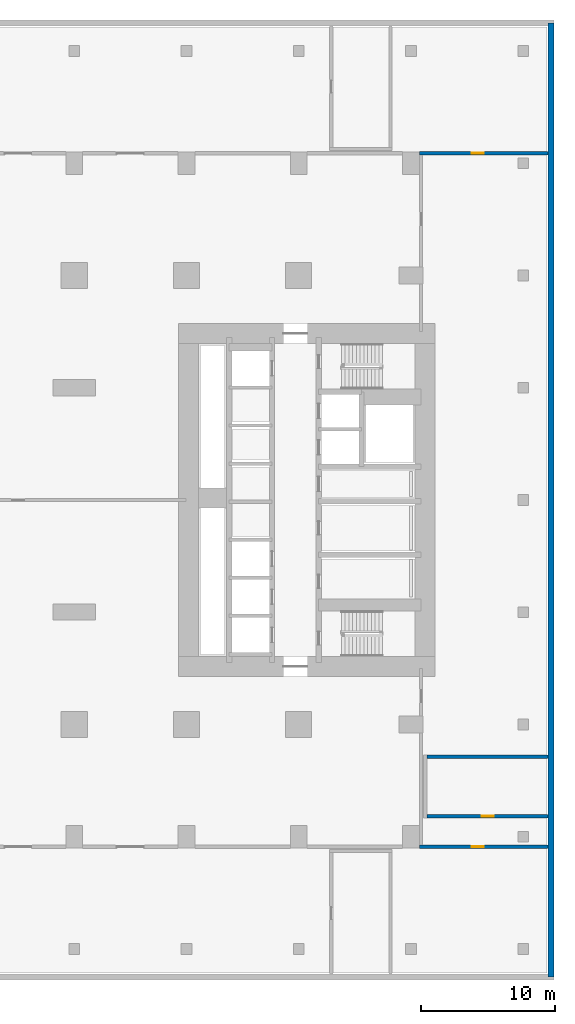
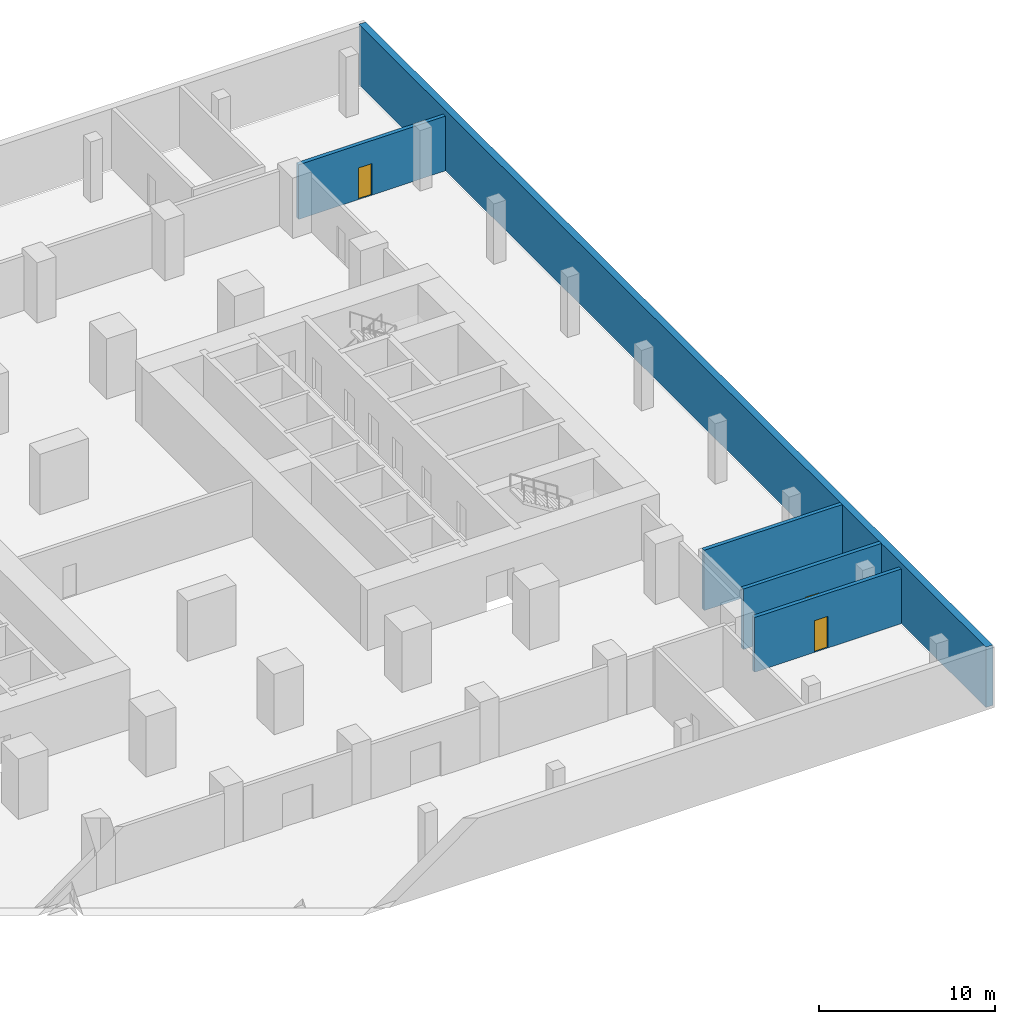
# One storey, part 5 of 8: 5 walls, 3 doors, 3 openings.
"""IFC4 building model written with IfcOpenShell, lengths in metres."""

from ifc_helpers import new_model, si_unit, direction, frame, frame_2d, origin, place, context, subcontext, project, spatial, rectangle, extrude, material, layer, layer_set, type_object, element, fill, save


model = new_model("IFC4")

# Units and contexts
model_context = context("Model", 3, precision=1e-05, world=origin(), true_north=direction((0.0, 1.0)))
body_context = subcontext(model_context, "Body", "Model", "MODEL_VIEW")
ifc_project = project(units=[si_unit("LENGTHUNIT", "METRE"), si_unit("AREAUNIT", "SQUARE_METRE"), si_unit("VOLUMEUNIT", "CUBIC_METRE"), si_unit("PLANEANGLEUNIT", "RADIAN"), si_unit("MASSUNIT", "GRAM", prefix="KILO")], contexts=[model_context])

# Site, building, storey
site_placement = place(None, origin())
site = spatial("IfcSite", under=ifc_project, at=site_placement, CompositionType="ELEMENT")
building_placement = place(site_placement, origin())
building = spatial("IfcBuilding", under=site, at=building_placement, Name="Claustro Exchange Tower", CompositionType="ELEMENT")
storey_placement = place(building_placement, frame((0.0, 0.0, -4.199951171875)))
storey = spatial("IfcBuildingStorey", under=building, at=storey_placement, Name="B1", CompositionType="ELEMENT", Elevation=-4.199951171875)

# Wall, opening, door
ifc_material_1 = material(Name="Concrete blockwork, rendered", Category="masonry")
ifc_layer_1 = layer(ifc_material_1, 0.25)
ifc_layer_set_1 = layer_set([ifc_layer_1], Name="Concrete blockwork, rendered")
wall_type_1 = type_object("IfcWallType", Name="P4 250 blockwork wall", PredefinedType="PARTITIONING", material=ifc_layer_set_1)
wall_1_placement = place(storey_placement, frame((51.02392578125, -0.75, 0.0), z_axis=(0.0, 0.0, 1.0), x_axis=(1.0, 0.0, 0.0)))
wall_1 = element("IfcWall", 1, at=wall_1_placement, inside=storey, type_object=wall_type_1, Name="Partition P4 B1", PredefinedType="PARTITIONING", context=body_context, shape_type="SweptSolid", body=[
    extrude(rectangle(XDim=9.652099609375, YDim=0.25, at=frame_2d((4.826171875, 0.0))), origin(), (0.0, 0.0, 1.0), 3.800048828125),
])
opening_1_placement = place(wall_1_placement, frame((3.926025390625, 0.0, 0.0)))
opening_1 = element("IfcOpeningElement", 2, at=opening_1_placement, cuts=wall_1, Name="Opening D12", PredefinedType="OPENING", context=body_context, shape_type="SweptSolid", body=[
    extrude(rectangle(XDim=0.89990234375, YDim=2.199951171875, at=frame_2d((0.449951171875, 1.10009765625))), frame((0.0, 0.135009765625, 0.0), z_axis=(0.0, -1.0, 0.0), x_axis=(1.0, 0.0, 0.0)), (0.0, 0.0, 1.0), 0.27001953125),
])
ifc_material_2 = material(Name="Steel door, painted", Category="steel")
door_type = type_object("IfcDoorType", Name="D12 900 x 2200 plant and store room door", OperationType="SINGLE_SWING_LEFT", PredefinedType="DOOR", material=ifc_material_2)
door_1_placement = place(opening_1_placement, origin())
door_1 = element("IfcDoor", 3, at=door_1_placement, inside=storey, type_object=door_type, Name="Door D12 B1", OperationType="SINGLE_SWING_LEFT", OverallHeight=2.199951171875, OverallWidth=0.89990234375, PredefinedType="DOOR", context=body_context, shape_type="SweptSolid", body=[
    extrude(rectangle(XDim=0.89990234375, YDim=2.199951171875, at=frame_2d((0.449951171875, 1.10009765625))), frame((0.0, 0.02490234375, 0.0), z_axis=(0.0, -1.0, 0.0), x_axis=(1.0, 0.0, 0.0)), (0.0, 0.0, 1.0), 0.050048828125),
])
fill(opening_1, door_1)

wall_2_placement = place(storey_placement, frame((51.02392578125, 51.14990234375, 0.0), z_axis=(0.0, 0.0, 1.0), x_axis=(1.0, 0.0, 0.0)))
wall_2 = element("IfcWall", 4, at=wall_2_placement, inside=storey, type_object=wall_type_1, Name="Partition P4 B1", PredefinedType="PARTITIONING", context=body_context, shape_type="SweptSolid", body=[
    extrude(rectangle(XDim=9.652099609375, YDim=0.25, at=frame_2d((4.826171875, 0.0))), origin(), (0.0, 0.0, 1.0), 3.800048828125),
])
opening_2_placement = place(wall_2_placement, frame((3.926025390625, 0.0, 0.0)))
opening_2 = element("IfcOpeningElement", 5, at=opening_2_placement, cuts=wall_2, Name="Opening D12", PredefinedType="OPENING", context=body_context, shape_type="SweptSolid", body=[
    extrude(rectangle(XDim=0.89990234375, YDim=2.199951171875, at=frame_2d((0.449951171875, 1.10009765625))), frame((0.0, 0.135009765625, 0.0), z_axis=(0.0, -1.0, 0.0), x_axis=(1.0, 0.0, 0.0)), (0.0, 0.0, 1.0), 0.27001953125),
])
door_2_placement = place(opening_2_placement, origin())
door_2 = element("IfcDoor", 6, at=door_2_placement, inside=storey, type_object=door_type, Name="Door D12 B1", OperationType="SINGLE_SWING_LEFT", OverallHeight=2.199951171875, OverallWidth=0.89990234375, PredefinedType="DOOR", context=body_context, shape_type="SweptSolid", body=[
    extrude(rectangle(XDim=0.89990234375, YDim=2.199951171875, at=frame_2d((0.449951171875, 1.10009765625))), frame((0.0, 0.02490234375, 0.0), z_axis=(0.0, -1.0, 0.0), x_axis=(1.0, 0.0, 0.0)), (0.0, 0.0, 1.0), 0.050048828125),
])
fill(opening_2, door_2)

# Wall
ifc_material_3 = material(Name="Concrete HA-40 (C40/50)", Category="concrete")
ifc_layer_2 = layer(ifc_material_3, 0.449951171875)
ifc_layer_set_2 = layer_set([ifc_layer_2], Name="Concrete HA-40 (C40/50)")
wall_type_2 = type_object("IfcWallType", Name="RW2 450 basement retaining wall", PredefinedType="SOLIDWALL", material=ifc_layer_set_2)
wall_3_placement = place(storey_placement, frame((60.89990234375, -10.5, 0.0), z_axis=(0.0, 0.0, 1.0), x_axis=(0.0, 1.0, 0.0)))
element("IfcWall", 7, at=wall_3_placement, inside=storey, type_object=wall_type_2, Name="Retaining wall RW2 E B1", PredefinedType="SOLIDWALL", context=body_context, shape_type="SweptSolid", body=[
    extrude(rectangle(XDim=71.39990234375, YDim=0.449951171875, at=frame_2d((35.699951171875, 0.0))), origin(), (0.0, 0.0, 1.0), 4.199951171875),
])

# Wall, opening, door
ifc_material_4 = material(Name="Concrete HA-40 (C40/50)", Category="concrete")
ifc_layer_3 = layer(ifc_material_4, 0.25)
ifc_layer_set_3 = layer_set([ifc_layer_3], Name="Concrete HA-40 (C40/50)")
wall_type_3 = type_object("IfcWallType", Name="SW7 250 reinforced concrete stair wall", PredefinedType="SOLIDWALL", material=ifc_layer_set_3)
wall_4_placement = place(storey_placement, frame((60.677001953125, 1.52490234375, 0.0), z_axis=(0.0, 0.0, 1.0), x_axis=(-1.0, 0.0, 0.0)))
wall_4 = element("IfcWall", 8, at=wall_4_placement, inside=storey, type_object=wall_type_3, Name="Stair enclosure wall STP6 SW7 B1", PredefinedType="SOLIDWALL", context=body_context, shape_type="SweptSolid", body=[
    extrude(rectangle(XDim=9.076904296875, YDim=0.25, at=frame_2d((4.53857421875, 0.0))), origin(), (0.0, 0.0, 1.0), 4.199951171875),
])
opening_3_placement = place(wall_4_placement, frame((4.08740234375, 0.0, 0.0)))
opening_3 = element("IfcOpeningElement", 9, at=opening_3_placement, cuts=wall_4, Name="Opening D12", PredefinedType="OPENING", context=body_context, shape_type="SweptSolid", body=[
    extrude(rectangle(XDim=0.89990234375, YDim=2.199951171875, at=frame_2d((0.449951171875, 1.10009765625))), frame((0.0, 0.135009765625, 0.0), z_axis=(0.0, -1.0, 0.0), x_axis=(1.0, 0.0, 0.0)), (0.0, 0.0, 1.0), 0.27001953125),
])
door_3_placement = place(opening_3_placement, frame((0.89990234375, 0.0, 0.0), z_axis=(0.0, 0.0, 1.0), x_axis=(-1.0, 0.0, 0.0)))
door_3 = element("IfcDoor", 10, at=door_3_placement, inside=storey, type_object=door_type, Name="Store door STP6 D12 B1", OperationType="SINGLE_SWING_RIGHT", OverallHeight=2.199951171875, OverallWidth=0.89990234375, PredefinedType="DOOR", context=body_context, shape_type="SweptSolid", body=[
    extrude(rectangle(XDim=0.89990234375, YDim=2.199951171875, at=frame_2d((0.449951171875, 1.10009765625))), frame((0.0, 0.02490234375, 0.0), z_axis=(0.0, -1.0, 0.0), x_axis=(1.0, 0.0, 0.0)), (0.0, 0.0, 1.0), 0.050048828125),
])
fill(opening_3, door_3)

# Wall
wall_5_placement = place(storey_placement, frame((60.677001953125, 5.97509765625, 0.0), z_axis=(0.0, 0.0, 1.0), x_axis=(-1.0, 0.0, 0.0)))
element("IfcWall", 11, at=wall_5_placement, inside=storey, type_object=wall_type_3, Name="Stair enclosure wall STP6 SW7 B1", PredefinedType="SOLIDWALL", context=body_context, shape_type="SweptSolid", body=[
    extrude(rectangle(XDim=9.076904296875, YDim=0.25, at=frame_2d((4.53857421875, 0.0))), origin(), (0.0, 0.0, 1.0), 4.199951171875),
])

save(model, "model.ifc")
